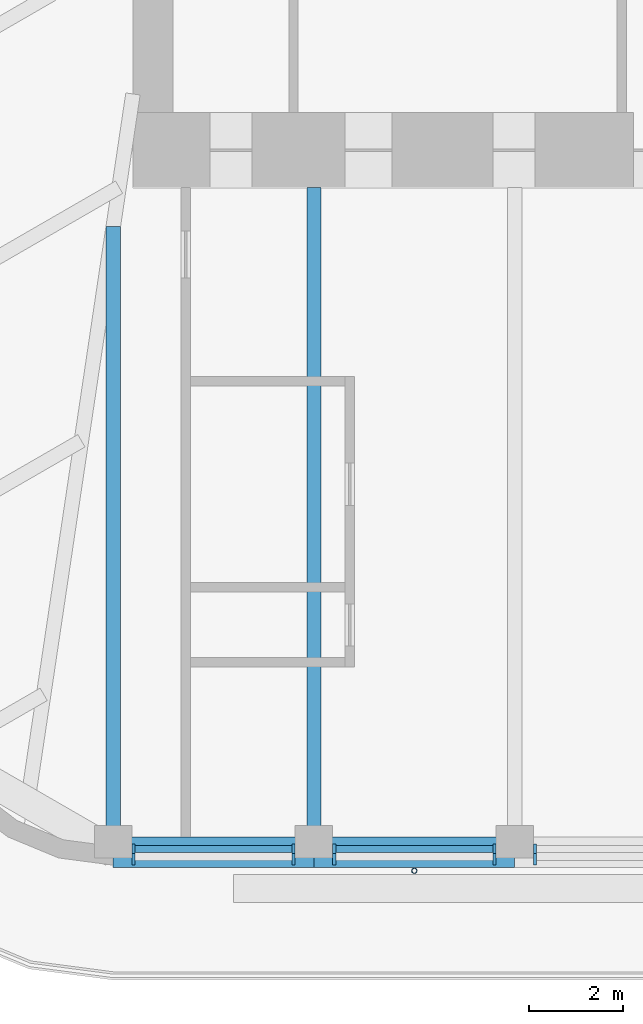
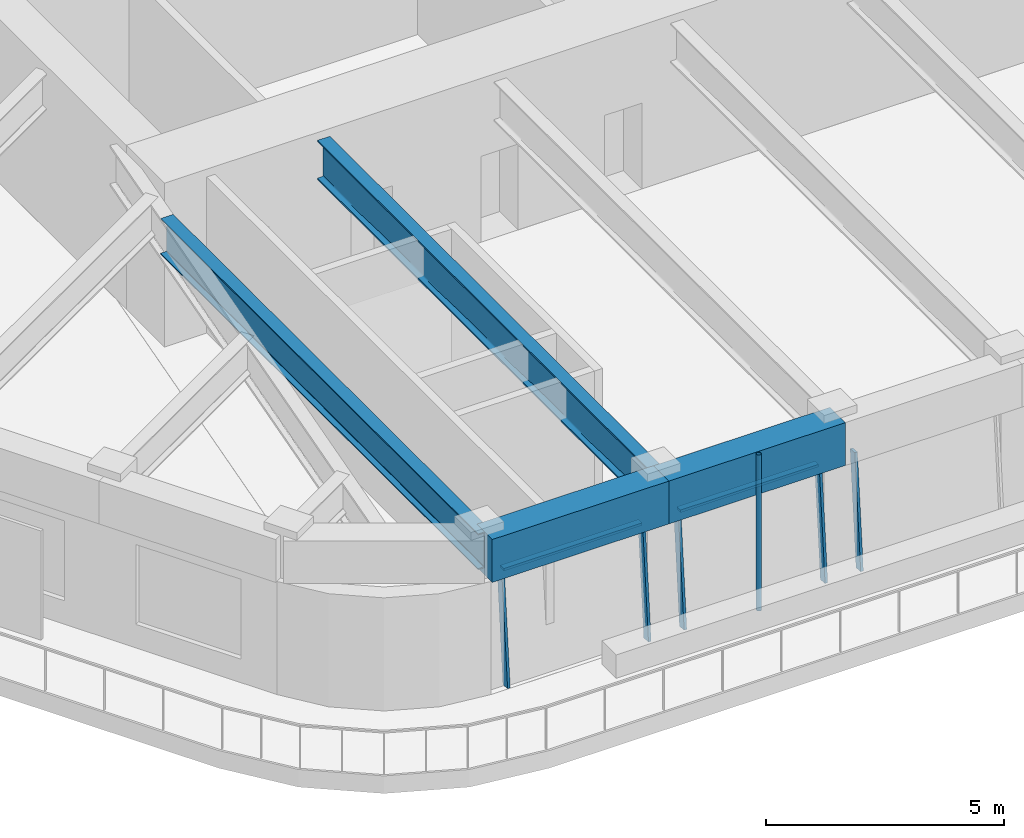
# One storey, part 2 of 19: 8 members, 4 beams, 3 elements without a shape of their own.
"""IFC4 building model written with IfcOpenShell, lengths in metres."""

from ifc_helpers import new_model, si_unit, direction, frame, origin, origin_2d, place, context, subcontext, project, spatial, rectangle, hollow_circle, i_section, extrude, material, material_profile, profile_set, type_object, element, aggregate, save


model = new_model("IFC4")

# Units and contexts
model_context = context("Model", 3, precision=1e-05, world=origin(), true_north=direction((0.0, 1.0)))
body_context = subcontext(model_context, "Body", "Model", "MODEL_VIEW")
ifc_project = project(units=[si_unit("LENGTHUNIT", "METRE"), si_unit("AREAUNIT", "SQUARE_METRE"), si_unit("VOLUMEUNIT", "CUBIC_METRE"), si_unit("PLANEANGLEUNIT", "RADIAN"), si_unit("MASSUNIT", "GRAM", prefix="KILO")], contexts=[model_context])

# Site, building, storey
site_placement = place(None, origin())
site = spatial("IfcSite", under=ifc_project, at=site_placement, CompositionType="ELEMENT")
building_placement = place(site_placement, origin())
building = spatial("IfcBuilding", under=site, at=building_placement, Name="Tarfa Lantern Tower", CompositionType="ELEMENT")
storey_placement = place(building_placement, frame((0.0, 0.0, 387.10009765625)))
storey = spatial("IfcBuildingStorey", under=building, at=storey_placement, Name="L88", CompositionType="ELEMENT", Elevation=387.10009765625)

# Curtain wall, members
ifc_material_1 = material(Name="Aluminium framed curtain wall", Category="aluminium")
curtain_wall_type = type_object("IfcCurtainWallType", Name="CW4 CANTED GLAZING EXECUTIVE ZONE 2900", PredefinedType="USERDEFINED", material=ifc_material_1)
curtain_wall_1_placement = place(storey_placement, origin())
curtain_wall_1 = element("IfcCurtainWall", 1, at=curtain_wall_1_placement, inside=storey, type_object=curtain_wall_type, Name="CW4 S L88", ObjectType="CURTAIN WALL", PredefinedType="USERDEFINED")
ifc_material_2 = material(Name="Aluminium mullion", Category="aluminium")
ifc_material_profile_1 = material_profile(ifc_material_2, rectangle(XDim=0.06494140625, YDim=0.199951171875, at=origin_2d()), Name="AL MULLION 65x200")
ifc_profile_set_1 = profile_set([ifc_material_profile_1], Name="Aluminium mullion")
member_type_1 = type_object("IfcMemberType", Name="CWM1 MULLION 65x200", PredefinedType="MULLION", material=ifc_profile_set_1)
member_1_placement = place(storey_placement, frame((-12.41357421875, -26.64990234375, 0.0), z_axis=(0.0, 0.085891213166, 0.99630452147), x_axis=(-1.0, 0.0, 0.0)))
member_1 = element("IfcMember", 2, at=member_1_placement, type_object=member_type_1, Name="CW4 mullion 1", PredefinedType="MULLION", context=body_context, shape_type="SweptSolid", body=[
    extrude(rectangle(XDim=0.06494140625, YDim=0.199951171875, at=origin_2d()), origin(), (0.0, 0.0, 1.0), 2.91064453125),
])
member_2_placement = place(storey_placement, frame((-8.99658203125, -26.64990234375, 0.0), z_axis=(0.0, 0.085891213166, 0.99630452147), x_axis=(-1.0, 0.0, 0.0)))
member_2 = element("IfcMember", 3, at=member_2_placement, type_object=member_type_1, Name="CW4 mullion 2", PredefinedType="MULLION", context=body_context, shape_type="SweptSolid", body=[
    extrude(rectangle(XDim=0.06494140625, YDim=0.199951171875, at=origin_2d()), origin(), (0.0, 0.0, 1.0), 2.91064453125),
])

curtain_wall_2_placement = place(storey_placement, origin())
curtain_wall_2 = element("IfcCurtainWall", 4, at=curtain_wall_2_placement, inside=storey, type_object=curtain_wall_type, Name="CW4 S L88", ObjectType="CURTAIN WALL", PredefinedType="USERDEFINED")
member_3_placement = place(storey_placement, frame((-8.131591796875, -26.64990234375, 0.0), z_axis=(0.0, 0.085891213166, 0.99630452147), x_axis=(-1.0, 0.0, 0.0)))
member_3 = element("IfcMember", 5, at=member_3_placement, type_object=member_type_1, Name="CW4 mullion 1", PredefinedType="MULLION", context=body_context, shape_type="SweptSolid", body=[
    extrude(rectangle(XDim=0.06494140625, YDim=0.199951171875, at=origin_2d()), origin(), (0.0, 0.0, 1.0), 2.91064453125),
])
member_4_placement = place(storey_placement, frame((-4.714599609375, -26.64990234375, 0.0), z_axis=(0.0, 0.085891213166, 0.99630452147), x_axis=(-1.0, 0.0, 0.0)))
member_4 = element("IfcMember", 6, at=member_4_placement, type_object=member_type_1, Name="CW4 mullion 2", PredefinedType="MULLION", context=body_context, shape_type="SweptSolid", body=[
    extrude(rectangle(XDim=0.06494140625, YDim=0.199951171875, at=origin_2d()), origin(), (0.0, 0.0, 1.0), 2.91064453125),
])

# Curtain wall, member
curtain_wall_3_placement = place(storey_placement, origin())
curtain_wall_3 = element("IfcCurtainWall", 7, at=curtain_wall_3_placement, inside=storey, type_object=curtain_wall_type, Name="CW4 S L88", ObjectType="CURTAIN WALL", PredefinedType="USERDEFINED")
member_5_placement = place(storey_placement, frame((-3.849609375, -26.64990234375, 0.0), z_axis=(0.0, 0.085891213166, 0.99630452147), x_axis=(-1.0, 0.0, 0.0)))
member_5 = element("IfcMember", 8, at=member_5_placement, type_object=member_type_1, Name="CW4 mullion 1", PredefinedType="MULLION", context=body_context, shape_type="SweptSolid", body=[
    extrude(rectangle(XDim=0.06494140625, YDim=0.199951171875, at=origin_2d()), origin(), (0.0, 0.0, 1.0), 2.91064453125),
])
aggregate(curtain_wall_3, [member_5])

# Member
ifc_material_3 = material(Name="Aluminium transom", Category="aluminium")
ifc_material_profile_2 = material_profile(ifc_material_3, rectangle(XDim=0.14990234375, YDim=0.06494140625, at=origin_2d()), Name="AL TRANSOM 150x65")
ifc_profile_set_2 = profile_set([ifc_material_profile_2], Name="Aluminium transom")
member_type_2 = type_object("IfcMemberType", Name="CWT1 TRANSOM 150x65", PredefinedType="USERDEFINED", material=ifc_profile_set_2)
member_6_placement = place(storey_placement, frame((-12.381103515625, -26.40283203125, 2.867431640625), z_axis=(1.0, 0.0, 0.0), x_axis=(0.0, 1.0, 0.0)))
member_6 = element("IfcMember", 9, at=member_6_placement, type_object=member_type_2, Name="CW4 transom 1.2", ObjectType="TRANSOM", PredefinedType="USERDEFINED", context=body_context, shape_type="SweptSolid", body=[
    extrude(rectangle(XDim=0.14990234375, YDim=0.06494140625, at=origin_2d()), origin(), (0.0, 0.0, 1.0), 3.35205078125),
])

aggregate(curtain_wall_1, [member_1, member_2, member_6])

member_7_placement = place(storey_placement, frame((-8.09912109375, -26.40283203125, 2.867431640625), z_axis=(1.0, 0.0, 0.0), x_axis=(0.0, 1.0, 0.0)))
member_7 = element("IfcMember", 10, at=member_7_placement, type_object=member_type_2, Name="CW4 transom 1.2", ObjectType="TRANSOM", PredefinedType="USERDEFINED", context=body_context, shape_type="SweptSolid", body=[
    extrude(rectangle(XDim=0.14990234375, YDim=0.06494140625, at=origin_2d()), origin(), (0.0, 0.0, 1.0), 3.35205078125),
])

aggregate(curtain_wall_2, [member_3, member_4, member_7])

# Beams
ifc_material_4 = material(Name="Concrete C80/95", Category="concrete")
ifc_material_profile_3 = material_profile(ifc_material_4, rectangle(XDim=0.64990234375, YDim=1.10009765625, at=origin_2d()), Name="RC 650x1100")
ifc_profile_set_3 = profile_set([ifc_material_profile_3], Name="Concrete C80/95")
beam_type_1 = type_object("IfcBeamType", Name="EB4 RC 650x1100", PredefinedType="SPANDREL", material=ifc_profile_set_3)
for number, where, z_axis, x_axis, name in (
    (11, (-12.845947265625, -26.469970703125, 3.449951171875), (1.0, 0.0, 0.0), (0.0, 1.0, 0.0), "Edge beam S0"),
    (12, (-8.56396484375, -26.469970703125, 3.449951171875), (1.0, 0.0, 0.0), (0.0, 1.0, 0.0), "Edge beam S1"),
):
    element("IfcBeam", number, at=place(storey_placement, frame(where, z_axis=z_axis, x_axis=x_axis)), inside=storey, type_object=beam_type_1, Name=name, PredefinedType="SPANDREL", context=body_context, shape_type="SweptSolid", body=[
        extrude(rectangle(XDim=0.64990234375, YDim=1.10009765625, at=origin_2d()), origin(), (0.0, 0.0, 1.0), 4.281982421875),
    ])

# Member
ifc_material_5 = material(Name="Steel S355", Category="steel")
ifc_material_profile_4 = material_profile(ifc_material_5, hollow_circle(Radius=0.05712890625, WallThickness=0.00634765625, at=origin_2d()), Name="CHS114.3x6.3")
ifc_profile_set_4 = profile_set([ifc_material_profile_4], Name="Steel S355")
member_type_3 = type_object("IfcMemberType", Name="TR1 GREEN WALL TRELLIS CHS114.3x6.3", PredefinedType="USERDEFINED", material=ifc_profile_set_4)
member_8_placement = place(storey_placement, frame((-6.423095703125, -26.8701171875, 0.0), z_axis=(0.0, 0.0, 1.0), x_axis=(1.0, 0.0, 0.0)))
element("IfcMember", 13, at=member_8_placement, inside=storey, type_object=member_type_3, Name="Trellis post S 1", ObjectType="TRELLIS", PredefinedType="USERDEFINED", context=body_context, shape_type="SweptSolid", body=[
    extrude(hollow_circle(Radius=0.05712890625, WallThickness=0.00634765625, at=origin_2d()), origin(), (0.0, 0.0, 1.0), 4.0),
])

# Beams
ifc_material_6 = material(Name="Steel S460M", Category="steel")
ifc_material_profile_5 = material_profile(ifc_material_6, i_section(OverallWidth=0.302001953125, OverallDepth=1.008056640625, WebThickness=0.02099609375, FlangeThickness=0.0400390625, FilletRadius=0.030029296875, at=origin_2d()), Name="UB1016x305x349")
ifc_profile_set_5 = profile_set([ifc_material_profile_5], Name="Steel S460M")
beam_type_2 = type_object("IfcBeamType", Name="UB1016x305x349", PredefinedType="BEAM", material=ifc_profile_set_5)
beam_1_placement = place(storey_placement, frame((-8.56396484375, -26.469970703125, 3.495849609375), z_axis=(0.0, 1.0, 0.0), x_axis=(-1.0, 0.0, 0.0)))
element("IfcBeam", 14, at=beam_1_placement, inside=storey, type_object=beam_type_2, Name="Floor beam S1", PredefinedType="BEAM", context=body_context, shape_type="SweptSolid", body=[
    extrude(i_section(OverallWidth=0.302001953125, OverallDepth=1.008056640625, WebThickness=0.02099609375, FlangeThickness=0.0400390625, FilletRadius=0.030029296875, at=origin_2d()), origin(), (0.0, 0.0, 1.0), 14.169921875),
])
ifc_material_profile_6 = material_profile(ifc_material_6, i_section(OverallWidth=0.305419921875, OverallDepth=0.91845703125, WebThickness=0.017333984375, FlangeThickness=0.02783203125, FilletRadius=0.01904296875, at=origin_2d()), Name="UB914x305x253")
ifc_profile_set_6 = profile_set([ifc_material_profile_6], Name="Steel S460M")
beam_type_3 = type_object("IfcBeamType", Name="UB914x305x253", PredefinedType="BEAM", material=ifc_profile_set_6)
beam_2_placement = place(storey_placement, frame((-12.845947265625, -26.469970703125, 3.540771484375), z_axis=(0.0, 1.0, 0.0), x_axis=(-1.0, 0.0, 0.0)))
element("IfcBeam", 15, at=beam_2_placement, inside=storey, type_object=beam_type_3, Name="Floor beam S0", PredefinedType="BEAM", context=body_context, shape_type="SweptSolid", body=[
    extrude(i_section(OverallWidth=0.305419921875, OverallDepth=0.91845703125, WebThickness=0.017333984375, FlangeThickness=0.02783203125, FilletRadius=0.01904296875, at=origin_2d()), origin(), (0.0, 0.0, 1.0), 13.33935546875),
])

save(model, "model.ifc")
